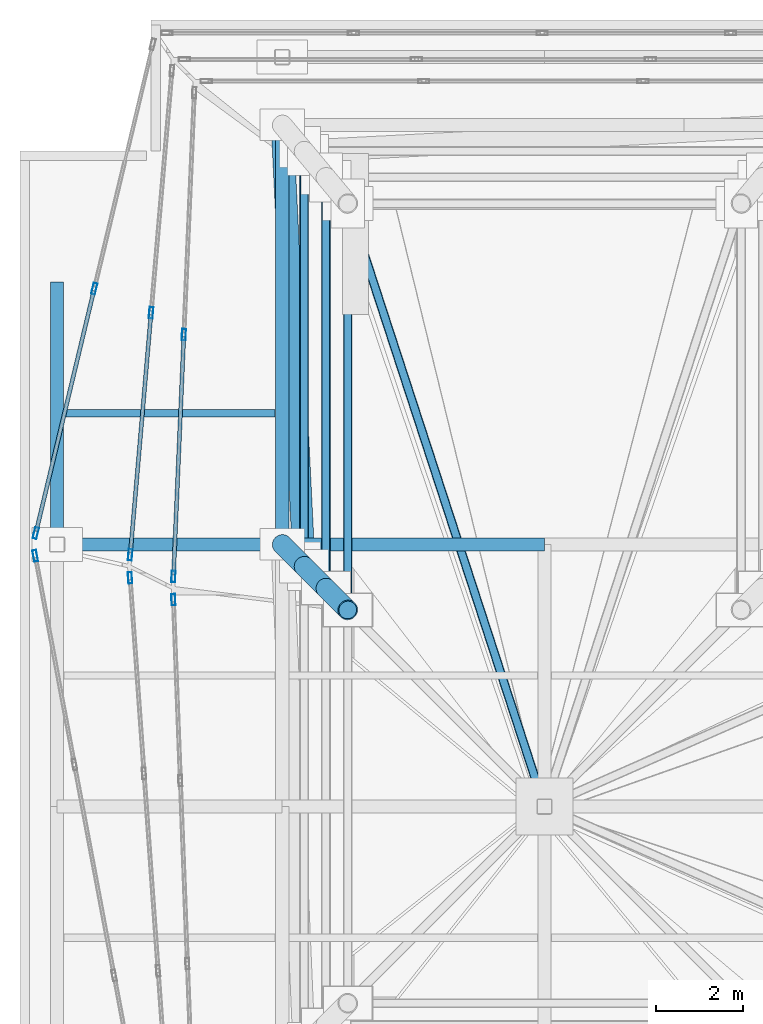
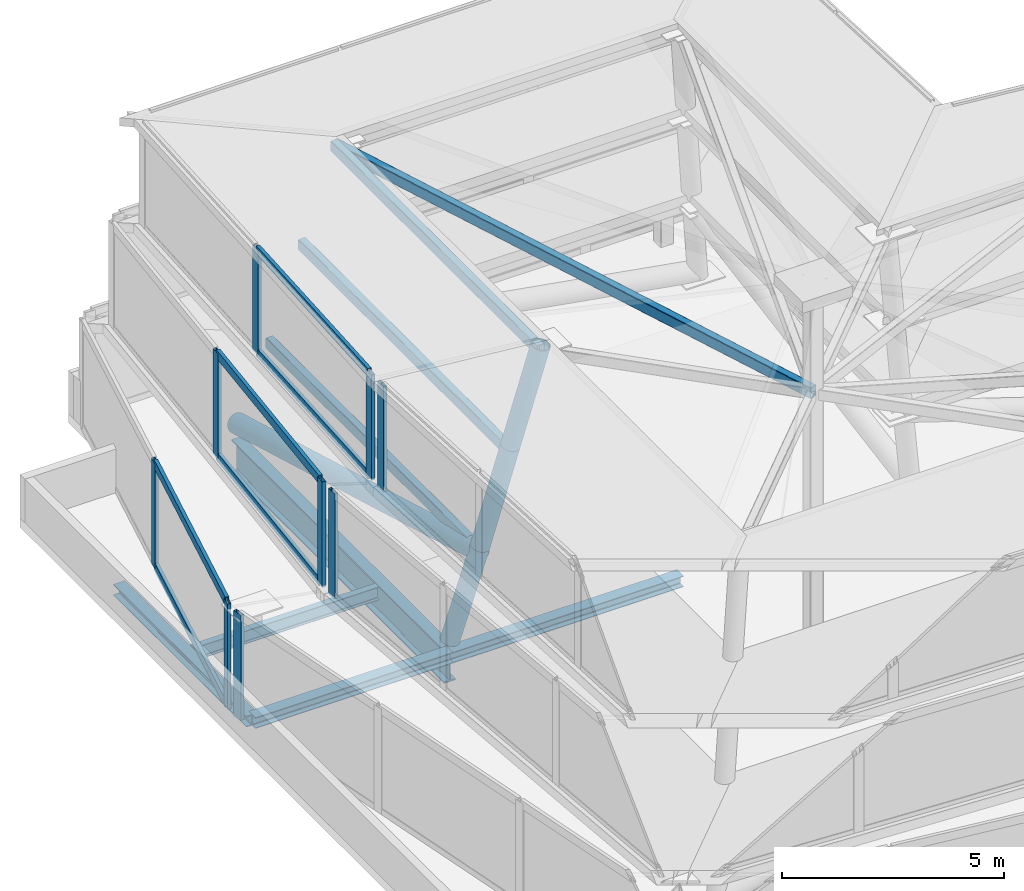
# One storey, part 6 of 15: 19 members, 9 beams, 6 elements without a shape of their own.
"""IFC4 building model written with IfcOpenShell, lengths in metres."""

import ifcopenshell
import ifcopenshell.guid

model = None  # the IFC model being written
_history = None  # IfcOwnerHistory: only IFC2X3 demands one
_inside = {}  # id of a spatial element -> (the spatial element, [elements in it])
_under = {}  # id of a project, library or spatial element -> (it, [spatial elements below it])
_declared = {}  # id of a project -> (the project, [libraries it declares])
_typed = {}  # id of a type object -> (the type object, [elements of that type])
_made_of = {}  # id of a material, layer set ... -> (it, [elements and type objects made of it])


def new_model(schema):
    """Start an empty IFC model of exactly this schema.

    Asked for "IFC4X3", IfcOpenShell would pick the latest addendum, in which some entities
    have other attributes; the version numbers below select the first issue.
    IFC2X3 requires an IfcOwnerHistory on every rooted entity: one is made here for all.
    """
    global model, _history
    if schema == "IFC4X3":
        model = ifcopenshell.file(schema_version=(4, 3, 0, 0))
    else:
        model = ifcopenshell.file(schema=schema)
    _inside.clear()
    _under.clear()
    _declared.clear()
    _typed.clear()
    _made_of.clear()
    _history = None
    if model.schema == "IFC2X3":
        org = make("IfcOrganization", Name="unknown")
        user = make(
            "IfcPersonAndOrganization",
            ThePerson=make("IfcPerson", FamilyName="unknown"),
            TheOrganization=org,
        )
        app = make(
            "IfcApplication",
            ApplicationDeveloper=org,
            Version="unknown",
            ApplicationFullName="unknown",
            ApplicationIdentifier="unknown",
        )
        _history = make(
            "IfcOwnerHistory",
            OwningUser=user,
            OwningApplication=app,
            ChangeAction="ADDED",
            CreationDate=0,
        )
    return model


def make(cls, **values):
    """One entity of the class cls with the attributes given. An attribute that is None is left unset."""
    return model.create_entity(
        cls, **{name: value for name, value in values.items() if value is not None}
    )


def rooted(cls, **values):
    """An entity with a GlobalId (a new one), such as an element, a storey or a relation."""
    return make(cls, GlobalId=ifcopenshell.guid.new(), OwnerHistory=_history, **values)


def si_unit(unit_type, name, prefix=None):
    """IfcSIUnit, for example si_unit("LENGTHUNIT", "METRE", prefix="MILLI")."""
    return make("IfcSIUnit", UnitType=unit_type, Prefix=prefix, Name=name)


def assignment(units):
    """IfcUnitAssignment: the units of a project."""
    return None if units is None else make("IfcUnitAssignment", Units=units)


def point(xyz):
    """IfcCartesianPoint."""
    return None if xyz is None else make("IfcCartesianPoint", Coordinates=xyz)


def direction(xyz):
    """IfcDirection."""
    return None if xyz is None else make("IfcDirection", DirectionRatios=xyz)


def frame(location, z_axis=None, x_axis=None):
    """IfcAxis2Placement3D, a coordinate frame: its origin and axes. An axis left out is left unset."""
    return make(
        "IfcAxis2Placement3D",
        Location=point(location),
        Axis=direction(z_axis),
        RefDirection=direction(x_axis),
    )


def frame_2d(location, x_axis=None):
    """IfcAxis2Placement2D, a coordinate frame in the plane: its origin and x axis."""
    return make(
        "IfcAxis2Placement2D", Location=point(location), RefDirection=direction(x_axis)
    )


def origin():
    """The frame at (0, 0, 0) with its axes left unset."""
    return frame((0.0, 0.0, 0.0))


def origin_2d():
    """The frame at (0, 0) in the plane with its x axis left unset."""
    return frame_2d((0.0, 0.0))


def place(relative_to, where):
    """IfcLocalPlacement: puts the frame where relative to a parent placement (None: the world)."""
    return make(
        "IfcLocalPlacement", PlacementRelTo=relative_to, RelativePlacement=where
    )


def context(
    kind, dimensions, precision=None, world=None, true_north=None, identifier=None
):
    """IfcGeometricRepresentationContext, for example the 3D "Model" context."""
    return make(
        "IfcGeometricRepresentationContext",
        ContextIdentifier=identifier,
        ContextType=kind,
        CoordinateSpaceDimension=dimensions,
        Precision=precision,
        WorldCoordinateSystem=world,
        TrueNorth=true_north,
    )


def subcontext(parent, identifier, kind, view, scale=None):
    """IfcGeometricRepresentationSubContext, for example "Body" below "Model"."""
    return make(
        "IfcGeometricRepresentationSubContext",
        ContextIdentifier=identifier,
        ContextType=kind,
        ParentContext=parent,
        TargetScale=scale,
        TargetView=view,
    )


def project(units=None, contexts=None):
    """IfcProject with its units and contexts."""
    return rooted(
        "IfcProject",
        Name="project",
        RepresentationContexts=contexts,
        UnitsInContext=assignment(units),
    )


def spatial(cls, under=None, at=None, **own):
    """A site, building, storey or space (cls), placed at a placement, below another one or the project."""
    s = rooted(cls, ObjectPlacement=at, **own)
    if under is not None:
        _under.setdefault(under.id(), (under, []))[1].append(s)
    return s


def profile(cls, at=None, kind="AREA", **sizes):
    """A parametric profile (cls). Its sizes go by their IFC names, for example OverallWidth=200.0."""
    return make(cls, ProfileType=kind, Position=at, **sizes)


def hollow_rectangle(**sizes):
    """IfcRectangleHollowProfileDef."""
    return profile("IfcRectangleHollowProfileDef", **sizes)


def hollow_circle(**sizes):
    """IfcCircleHollowProfileDef."""
    return profile("IfcCircleHollowProfileDef", **sizes)


def i_section(**sizes):
    """IfcIShapeProfileDef."""
    return profile("IfcIShapeProfileDef", **sizes)


def extrude(swept, where, along, depth):
    """IfcExtrudedAreaSolid: the profile swept, set in the frame where, extruded along a direction by depth."""
    return make(
        "IfcExtrudedAreaSolid",
        SweptArea=swept,
        Position=where,
        ExtrudedDirection=direction(along),
        Depth=depth,
    )


def shape(context_of_items, identifier, shape_type, items):
    """IfcShapeRepresentation: the items that make up one representation, for example the "Body"."""
    return make(
        "IfcShapeRepresentation",
        ContextOfItems=context_of_items,
        RepresentationIdentifier=identifier,
        RepresentationType=shape_type,
        Items=items,
    )


def material(Name=None, Category=None):
    """IfcMaterial."""
    return make("IfcMaterial", Name=Name, Category=Category)


def layer(
    of_material, thickness, ventilated=None, Name=None, Category=None, Priority=None
):
    """IfcMaterialLayer: one layer of a wall or slab, of a material (None: an air gap)."""
    return make(
        "IfcMaterialLayer",
        Material=of_material,
        LayerThickness=thickness,
        IsVentilated=ventilated,
        Name=Name,
        Category=Category,
        Priority=Priority,
    )


def layer_set(layers, Name=None):
    """IfcMaterialLayerSet."""
    return make("IfcMaterialLayerSet", MaterialLayers=layers, LayerSetName=Name)


def material_profile(
    of_material, cross_section, Name=None, Category=None, Priority=None
):
    """IfcMaterialProfile: a cross section and its material."""
    return make(
        "IfcMaterialProfile",
        Name=Name,
        Material=of_material,
        Profile=cross_section,
        Priority=Priority,
        Category=Category,
    )


def profile_set(profiles, Name=None, composite=None):
    """IfcMaterialProfileSet."""
    return make(
        "IfcMaterialProfileSet",
        Name=Name,
        MaterialProfiles=profiles,
        CompositeProfile=composite,
    )


def made_of(thing, what):
    """Note that an element or type object is made of a material, layer set ...; save() writes the relation."""
    if what is not None:
        _made_of.setdefault(what.id(), (what, []))[1].append(thing)
    return thing


def type_object(cls, material=None, **own):
    """A type object (cls), such as IfcWallType, which elements share."""
    return made_of(rooted(cls, **own), material)


def element(
    cls,
    number,
    at=None,
    inside=None,
    cuts=None,
    type_object=None,
    material=None,
    context=None,
    identifier="Body",
    shape_type=None,
    held_by="IfcProductDefinitionShape",
    body=None,
    shapes=None,
    **own,
):
    """One element of the class cls, such as IfcWall. Its Tag is "e" and its number.

    at: its placement. inside: the storey or other place that contains it. cuts: it is an
    opening in that element (IfcRelVoidsElement). A single representation is given by context,
    identifier, shape_type and body (its items); several are given by shapes. held_by: the class
    of the entity that holds the representations. save() writes the other relations.
    """
    e = rooted(cls, Tag="e%d" % number, ObjectPlacement=at, **own)
    if body is not None:
        shapes = [shape(context, identifier, shape_type, body)]
    if shapes is not None:
        e.Representation = make(held_by, Representations=shapes)
    if inside is not None:
        _inside.setdefault(inside.id(), (inside, []))[1].append(e)
    if cuts is not None:
        rooted(
            "IfcRelVoidsElement", RelatingBuildingElement=cuts, RelatedOpeningElement=e
        )
    if type_object is not None:
        _typed.setdefault(type_object.id(), (type_object, []))[1].append(e)
    return made_of(e, material)


def aggregate(whole, parts):
    """IfcRelAggregates: a whole, such as a stair, and the parts it consists of."""
    return rooted("IfcRelAggregates", RelatingObject=whole, RelatedObjects=parts)


def save(model, path):
    """Write the relations noted so far, then the file.

    IfcRelAggregates (storeys below a building ...), IfcRelContainedInSpatialStructure (elements
    in a storey), IfcRelDefinesByType, IfcRelAssociatesMaterial and IfcRelDeclares: one each for
    every whole, place, type object, material and project.
    """
    for whole, parts in _under.values():
        aggregate(whole, parts)
    for where, things in _inside.values():
        rooted(
            "IfcRelContainedInSpatialStructure",
            RelatedElements=things,
            RelatingStructure=where,
        )
    for kind, things in _typed.values():
        rooted("IfcRelDefinesByType", RelatedObjects=things, RelatingType=kind)
    for what, things in _made_of.values():
        rooted("IfcRelAssociatesMaterial", RelatedObjects=things, RelatingMaterial=what)
    for by, libraries in _declared.values():
        rooted("IfcRelDeclares", RelatingContext=by, RelatedDefinitions=libraries)
    model.write(path)


model = new_model("IFC4")

# Units and contexts
model_context = context("Model", 3, precision=1e-05, world=origin(), true_north=direction((0.0, 1.0)))
body_context = subcontext(model_context, "Body", "Model", "MODEL_VIEW")
ifc_project = project(units=[si_unit("LENGTHUNIT", "METRE"), si_unit("AREAUNIT", "SQUARE_METRE"), si_unit("VOLUMEUNIT", "CUBIC_METRE"), si_unit("PLANEANGLEUNIT", "RADIAN"), si_unit("MASSUNIT", "GRAM", prefix="KILO"), si_unit("THERMODYNAMICTEMPERATUREUNIT", "KELVIN"), si_unit("POWERUNIT", "WATT")], contexts=[model_context])

# Site, building, storey
site_placement = place(None, origin())
site = spatial("IfcSite", under=ifc_project, at=site_placement, CompositionType="ELEMENT")
building_placement = place(site_placement, origin())
building = spatial("IfcBuilding", under=site, at=building_placement, Name="Svarakhadi Broadcast Tower", CompositionType="ELEMENT")
storey_placement = place(building_placement, frame((0.0, 0.0, 310.5)))
storey = spatial("IfcBuildingStorey", under=building, at=storey_placement, Name="RF", CompositionType="ELEMENT", Elevation=310.5)

# Beam
ifc_material_1 = material(Name="Steel S355J2 (IS 2062 E350C)", Category="steel")
ifc_material_profile_1 = material_profile(ifc_material_1, i_section(OverallWidth=0.169921875, OverallDepth=0.360107421875, WebThickness=0.008056640625, FlangeThickness=0.0126953125, FilletRadius=0.01806640625, at=origin_2d()), Name="NPB 360x170x57")
ifc_profile_set_1 = profile_set([ifc_material_profile_1], Name="Steel S355J2 (IS 2062 E350C)")
beam_type_1 = type_object("IfcBeamType", Name="Beam_NPB360", PredefinedType="BEAM", material=ifc_profile_set_1)
beam_1_placement = place(storey_placement, frame((1.010009765625, 21.0, -0.429931640625), z_axis=(1.0, 0.0, 0.0), x_axis=(0.0, 1.0, 0.0)))
element("IfcBeam", 1, at=beam_1_placement, inside=storey, type_object=beam_type_1, Name="RF Secondary Composite Beam SB003", PredefinedType="BEAM", context=body_context, shape_type="SweptSolid", body=[
    extrude(i_section(OverallWidth=0.169921875, OverallDepth=0.360107421875, WebThickness=0.008056640625, FlangeThickness=0.0126953125, FilletRadius=0.01806640625, at=origin_2d()), origin(), (0.0, 0.0, 1.0), 4.830078125),
])

# Curtain wall, members
ifc_material_2 = material(Name="Anodised Bronze Aluminium AA 6063-T6", Category="aluminium")
ifc_layer = layer(ifc_material_2, 0.260009765625)
ifc_layer_set = layer_set([ifc_layer], Name="Anodised Bronze Aluminium AA 6063-T6")
curtain_wall_type = type_object("IfcCurtainWallType", Name="CW_Sys_07", PredefinedType="NOTDEFINED", material=ifc_layer_set)
curtain_wall_1_placement = place(storey_placement, origin())
curtain_wall_1 = element("IfcCurtainWall", 2, at=curtain_wall_1_placement, inside=storey, type_object=curtain_wall_type, Name="Crown Tier 1 Faceted Curtain Wall 7", PredefinedType="NOTDEFINED")
ifc_material_profile_2 = material_profile(ifc_material_2, hollow_rectangle(XDim=0.090087890625, YDim=0.260009765625, WallThickness=0.005615234375, at=origin_2d()), Name="ALU MULLION 260x90x6")
ifc_profile_set_2 = profile_set([ifc_material_profile_2], Name="Anodised Bronze Aluminium AA 6063-T6")
member_type_1 = type_object("IfcMemberType", Name="CW_Sys_07_Mul", PredefinedType="MULLION", material=ifc_profile_set_2)
member_1_placement = place(storey_placement, frame((1.699951171875, 23.85009765625, 0.0), z_axis=(0.0, 0.0, 1.0), x_axis=(0.972537468468, -0.232746369309, 0.0)))
member_1 = element("IfcMember", 3, at=member_1_placement, type_object=member_type_1, Name="CW-07 mullion 2", PredefinedType="MULLION", context=body_context, shape_type="SweptSolid", body=[
    extrude(hollow_rectangle(XDim=0.090087890625, YDim=0.260009765625, WallThickness=0.005615234375, at=origin_2d()), origin(), (0.0, 0.0, 1.0), 2.89990234375),
])
member_2_placement = place(storey_placement, frame((0.361572265625, 18.2578125, 0.0), z_axis=(0.0, 0.0, 1.0), x_axis=(0.972537468468, -0.232746369309, 0.0)))
member_2 = element("IfcMember", 4, at=member_2_placement, type_object=member_type_1, Name="CW-07 mullion 3", PredefinedType="MULLION", context=body_context, shape_type="SweptSolid", body=[
    extrude(hollow_rectangle(XDim=0.090087890625, YDim=0.260009765625, WallThickness=0.005615234375, at=origin_2d()), origin(), (0.0, 0.0, 1.0), 2.89990234375),
])

# Curtain wall, member
curtain_wall_2_placement = place(storey_placement, origin())
curtain_wall_2 = element("IfcCurtainWall", 5, at=curtain_wall_2_placement, inside=storey, type_object=curtain_wall_type, Name="Crown Tier 1 Faceted Curtain Wall 8", PredefinedType="NOTDEFINED")
member_3_placement = place(storey_placement, frame((0.348876953125, 17.739501953125, 0.0), z_axis=(0.0, 0.0, 1.0), x_axis=(0.982796739927, 0.184690465344, 0.0)))
member_3 = element("IfcMember", 6, at=member_3_placement, type_object=member_type_1, Name="CW-07 mullion 1", PredefinedType="MULLION", context=body_context, shape_type="SweptSolid", body=[
    extrude(hollow_rectangle(XDim=0.090087890625, YDim=0.260009765625, WallThickness=0.005615234375, at=origin_2d()), origin(), (0.0, 0.0, 1.0), 2.89990234375),
])
aggregate(curtain_wall_2, [member_3])

# Curtain wall, members
curtain_wall_3_placement = place(storey_placement, origin())
curtain_wall_3 = element("IfcCurtainWall", 7, at=curtain_wall_3_placement, inside=storey, type_object=curtain_wall_type, Name="Crown Tier 2 Faceted Curtain Wall 7", PredefinedType="NOTDEFINED")
member_4_placement = place(storey_placement, frame((3.0, 23.300048828125, 2.89990234375), z_axis=(0.0, 0.0, 1.0), x_axis=(0.996304821652, -0.085887731099, 0.0)))
member_4 = element("IfcMember", 8, at=member_4_placement, type_object=member_type_1, Name="CW-07 mullion 2", PredefinedType="MULLION", context=body_context, shape_type="SweptSolid", body=[
    extrude(hollow_rectangle(XDim=0.090087890625, YDim=0.260009765625, WallThickness=0.005615234375, at=origin_2d()), origin(), (0.0, 0.0, 1.0), 2.900146484375),
])
member_5_placement = place(storey_placement, frame((2.522705078125, 17.763916015625, 2.89990234375), z_axis=(0.0, 0.0, 1.0), x_axis=(0.996304821652, -0.085887731099, 0.0)))
member_5 = element("IfcMember", 9, at=member_5_placement, type_object=member_type_1, Name="CW-07 mullion 3", PredefinedType="MULLION", context=body_context, shape_type="SweptSolid", body=[
    extrude(hollow_rectangle(XDim=0.090087890625, YDim=0.260009765625, WallThickness=0.005615234375, at=origin_2d()), origin(), (0.0, 0.0, 1.0), 2.900146484375),
])

# Curtain wall, member
curtain_wall_4_placement = place(storey_placement, origin())
curtain_wall_4 = element("IfcCurtainWall", 10, at=curtain_wall_4_placement, inside=storey, type_object=curtain_wall_type, Name="Crown Tier 2 Faceted Curtain Wall 8", PredefinedType="NOTDEFINED")
member_6_placement = place(storey_placement, frame((2.518798828125, 17.235595703125, 2.89990234375), z_axis=(0.0, 0.0, 1.0), x_axis=(0.997458998512, 0.071242868326, 0.0)))
member_6 = element("IfcMember", 11, at=member_6_placement, type_object=member_type_1, Name="CW-07 mullion 1", PredefinedType="MULLION", context=body_context, shape_type="SweptSolid", body=[
    extrude(hollow_rectangle(XDim=0.090087890625, YDim=0.260009765625, WallThickness=0.005615234375, at=origin_2d()), origin(), (0.0, 0.0, 1.0), 2.900146484375),
])
aggregate(curtain_wall_4, [member_6])

# Curtain wall, members
curtain_wall_5_placement = place(storey_placement, origin())
curtain_wall_5 = element("IfcCurtainWall", 12, at=curtain_wall_5_placement, inside=storey, type_object=curtain_wall_type, Name="Crown Tier 3 Faceted Curtain Wall 7", PredefinedType="NOTDEFINED")
member_7_placement = place(storey_placement, frame((3.75, 22.800048828125, 5.800048828125), z_axis=(0.0, 0.0, 1.0), x_axis=(0.999072538007, -0.043058841143, 0.0)))
member_7 = element("IfcMember", 13, at=member_7_placement, type_object=member_type_1, Name="CW-07 mullion 2", PredefinedType="MULLION", context=body_context, shape_type="SweptSolid", body=[
    extrude(hollow_rectangle(XDim=0.090087890625, YDim=0.260009765625, WallThickness=0.005615234375, at=origin_2d()), origin(), (0.0, 0.0, 1.0), 2.89990234375),
])
member_8_placement = place(storey_placement, frame((3.511474609375, 17.2646484375, 5.800048828125), z_axis=(0.0, 0.0, 1.0), x_axis=(0.999072538007, -0.043058841143, 0.0)))
member_8 = element("IfcMember", 14, at=member_8_placement, type_object=member_type_1, Name="CW-07 mullion 3", PredefinedType="MULLION", context=body_context, shape_type="SweptSolid", body=[
    extrude(hollow_rectangle(XDim=0.090087890625, YDim=0.260009765625, WallThickness=0.005615234375, at=origin_2d()), origin(), (0.0, 0.0, 1.0), 2.89990234375),
])

# Curtain wall, member
curtain_wall_6_placement = place(storey_placement, origin())
curtain_wall_6 = element("IfcCurtainWall", 15, at=curtain_wall_6_placement, inside=storey, type_object=curtain_wall_type, Name="Crown Tier 3 Faceted Curtain Wall 8", PredefinedType="NOTDEFINED")
member_9_placement = place(storey_placement, frame((3.51025390625, 16.7353515625, 5.800048828125), z_axis=(0.0, 0.0, 1.0), x_axis=(0.999261456636, 0.038425789272, 0.0)))
member_9 = element("IfcMember", 16, at=member_9_placement, type_object=member_type_1, Name="CW-07 mullion 1", PredefinedType="MULLION", context=body_context, shape_type="SweptSolid", body=[
    extrude(hollow_rectangle(XDim=0.090087890625, YDim=0.260009765625, WallThickness=0.005615234375, at=origin_2d()), origin(), (0.0, 0.0, 1.0), 2.89990234375),
])
aggregate(curtain_wall_6, [member_9])

# Member
ifc_material_profile_3 = material_profile(ifc_material_2, hollow_rectangle(XDim=0.090087890625, YDim=0.22998046875, WallThickness=0.0048828125, at=origin_2d()), Name="ALU TRANSOM 230x90x5")
ifc_profile_set_3 = profile_set([ifc_material_profile_3], Name="Anodised Bronze Aluminium AA 6063-T6")
member_type_2 = type_object("IfcMemberType", Name="CW_Sys_07_Trn", PredefinedType="USERDEFINED", material=ifc_profile_set_3)
member_10_placement = place(storey_placement, frame((1.689453125, 23.80615234375, 0.044921875), z_axis=(-0.232749716477, -0.972536667422, 0.0), x_axis=(0.972536667422, -0.232749716477, 0.0)))
member_10 = element("IfcMember", 17, at=member_10_placement, type_object=member_type_2, Name="CW-07 transom 2.1", ObjectType="TRANSOM", PredefinedType="USERDEFINED", context=body_context, shape_type="SweptSolid", body=[
    extrude(hollow_rectangle(XDim=0.090087890625, YDim=0.22998046875, WallThickness=0.0048828125, at=origin_2d()), origin(), (0.0, 0.0, 1.0), 5.66015625),
])

member_11_placement = place(storey_placement, frame((1.689453125, 23.80615234375, 2.85498046875), z_axis=(-0.232749716477, -0.972536667422, 0.0), x_axis=(0.972536667422, -0.232749716477, 0.0)))
member_11 = element("IfcMember", 18, at=member_11_placement, type_object=member_type_2, Name="CW-07 transom 2.2", ObjectType="TRANSOM", PredefinedType="USERDEFINED", context=body_context, shape_type="SweptSolid", body=[
    extrude(hollow_rectangle(XDim=0.090087890625, YDim=0.22998046875, WallThickness=0.0048828125, at=origin_2d()), origin(), (0.0, 0.0, 1.0), 5.66015625),
])

aggregate(curtain_wall_1, [member_1, member_2, member_10, member_11])

member_12_placement = place(storey_placement, frame((2.99609375, 23.255126953125, 2.945068359375), z_axis=(-0.085883756095, -0.996305164314, 0.0), x_axis=(0.996305164314, -0.085883756095, 0.0)))
member_12 = element("IfcMember", 19, at=member_12_placement, type_object=member_type_2, Name="CW-07 transom 2.1", ObjectType="TRANSOM", PredefinedType="USERDEFINED", context=body_context, shape_type="SweptSolid", body=[
    extrude(hollow_rectangle(XDim=0.090087890625, YDim=0.22998046875, WallThickness=0.0048828125, at=origin_2d()), origin(), (0.0, 0.0, 1.0), 5.466552734375),
])

member_13_placement = place(storey_placement, frame((2.99609375, 23.255126953125, 5.7548828125), z_axis=(-0.085883756095, -0.996305164314, 0.0), x_axis=(0.996305164314, -0.085883756095, 0.0)))
member_13 = element("IfcMember", 20, at=member_13_placement, type_object=member_type_2, Name="CW-07 transom 2.2", ObjectType="TRANSOM", PredefinedType="USERDEFINED", context=body_context, shape_type="SweptSolid", body=[
    extrude(hollow_rectangle(XDim=0.090087890625, YDim=0.22998046875, WallThickness=0.0048828125, at=origin_2d()), origin(), (0.0, 0.0, 1.0), 5.466552734375),
])

aggregate(curtain_wall_3, [member_4, member_5, member_12, member_13])

member_14_placement = place(storey_placement, frame((3.748046875, 22.755126953125, 5.844970703125), z_axis=(-0.043046503763, -0.999073069657, 0.0), x_axis=(0.999073069657, -0.043046503763, 0.0)))
member_14 = element("IfcMember", 21, at=member_14_placement, type_object=member_type_2, Name="CW-07 transom 2.1", ObjectType="TRANSOM", PredefinedType="USERDEFINED", context=body_context, shape_type="SweptSolid", body=[
    extrude(hollow_rectangle(XDim=0.090087890625, YDim=0.22998046875, WallThickness=0.0048828125, at=origin_2d()), origin(), (0.0, 0.0, 1.0), 5.450439453125),
])

member_15_placement = place(storey_placement, frame((3.748046875, 22.755126953125, 8.655029296875), z_axis=(-0.043046503763, -0.999073069657, 0.0), x_axis=(0.999073069657, -0.043046503763, 0.0)))
member_15 = element("IfcMember", 22, at=member_15_placement, type_object=member_type_2, Name="CW-07 transom 2.2", ObjectType="TRANSOM", PredefinedType="USERDEFINED", context=body_context, shape_type="SweptSolid", body=[
    extrude(hollow_rectangle(XDim=0.090087890625, YDim=0.22998046875, WallThickness=0.0048828125, at=origin_2d()), origin(), (0.0, 0.0, 1.0), 5.450439453125),
])

aggregate(curtain_wall_5, [member_7, member_8, member_14, member_15])

# Members
ifc_material_3 = material(Name="Steel S460ML (IS 2062 E450BR)", Category="steel")
ifc_material_profile_4 = material_profile(ifc_material_3, hollow_circle(Radius=0.228515625, WallThickness=0.02490234375, at=origin_2d()), Name="CHS 457x25")
ifc_profile_set_4 = profile_set([ifc_material_profile_4], Name="Steel S460ML (IS 2062 E450BR)")
member_type_3 = type_object("IfcMemberType", Name="Crown_Spire_CHS457", PredefinedType="BRACE", material=ifc_profile_set_4)
member_16_placement = place(storey_placement, frame((6.0, 18.0, 0.0), z_axis=(0.177911828824, -0.177911828824, 0.967829924279), x_axis=(0.707106781187, 0.707106781187, 0.0)))
element("IfcMember", 23, at=member_16_placement, inside=storey, type_object=member_type_3, Name="Crown Structural Spire Frame Chord SL-01-08", PredefinedType="BRACE", context=body_context, shape_type="SweptSolid", body=[
    extrude(hollow_circle(Radius=0.228515625, WallThickness=0.02490234375, at=origin_2d()), origin(), (0.0, 0.0, 1.0), 2.810302734375),
])
member_17_placement = place(storey_placement, frame((6.5, 17.5, 2.719970703125), z_axis=(0.167498316665, -0.167498316665, 0.971539308432), x_axis=(0.707106781187, 0.707106781187, 0.0)))
element("IfcMember", 24, at=member_17_placement, inside=storey, type_object=member_type_3, Name="Crown Structural Spire Frame Chord SL-01-16", PredefinedType="BRACE", context=body_context, shape_type="SweptSolid", body=[
    extrude(hollow_circle(Radius=0.228515625, WallThickness=0.02490234375, at=origin_2d()), origin(), (0.0, 0.0, 1.0), 2.985107421875),
])
member_18_placement = place(storey_placement, frame((7.0, 17.0, 5.6201171875), z_axis=(0.167511626872, -0.167511626872, 0.971534718744), x_axis=(0.707106781187, 0.707106781187, 0.0)))
element("IfcMember", 25, at=member_18_placement, inside=storey, type_object=member_type_3, Name="Crown Structural Spire Frame Chord SL-01-24", PredefinedType="BRACE", context=body_context, shape_type="SweptSolid", body=[
    extrude(hollow_circle(Radius=0.228515625, WallThickness=0.02490234375, at=origin_2d()), origin(), (0.0, 0.0, 1.0), 2.98486328125),
])
ifc_material_profile_5 = material_profile(ifc_material_3, hollow_circle(Radius=0.25390625, WallThickness=0.02490234375, at=origin_2d()), Name="CHS 508x25")
ifc_profile_set_5 = profile_set([ifc_material_profile_5], Name="Steel S460ML (IS 2062 E450BR)")
member_type_4 = type_object("IfcMemberType", Name="Exo_Brace_CHS508", PredefinedType="BRACE", material=ifc_profile_set_5)
member_19_placement = place(storey_placement, frame((6.0, 27.60009765625, 0.14990234375), z_axis=(0.048085998697, -0.971346565466, 0.232752199745), x_axis=(0.998776901255, 0.049443922982, 0.0)))
element("IfcMember", 26, at=member_19_placement, inside=storey, type_object=member_type_4, Name="Crown Tier 1 Diagonal Brace EX-05-07", PredefinedType="BRACE", context=body_context, shape_type="SweptSolid", body=[
    extrude(hollow_circle(Radius=0.25390625, WallThickness=0.02490234375, at=origin_2d()), origin(), (0.0, 0.0, 1.0), 10.39794921875),
])

# Beams
ifc_material_profile_6 = material_profile(ifc_material_1, i_section(OverallWidth=0.300048828125, OverallDepth=0.300048828125, WebThickness=0.010986328125, FlangeThickness=0.01904296875, FilletRadius=0.027099609375, at=origin_2d()), Name="WPB 300x300x117")
ifc_profile_set_6 = profile_set([ifc_material_profile_6], Name="Steel S355J2 (IS 2062 E350C)")
beam_type_2 = type_object("IfcBeamType", Name="Girder_WPB300", PredefinedType="USERDEFINED", material=ifc_profile_set_6)
beam_2_placement = place(storey_placement, frame((0.85009765625, 18.0, -0.39990234375), z_axis=(1.0, 0.0, 0.0), x_axis=(0.0, 1.0, 0.0)))
element("IfcBeam", 27, at=beam_2_placement, inside=storey, type_object=beam_type_2, Name="RF Primary E-W Girder G017", ObjectType="GIRDER", PredefinedType="USERDEFINED", context=body_context, shape_type="SweptSolid", body=[
    extrude(i_section(OverallWidth=0.300048828125, OverallDepth=0.300048828125, WebThickness=0.010986328125, FlangeThickness=0.01904296875, FilletRadius=0.027099609375, at=origin_2d()), origin(), (0.0, 0.0, 1.0), 5.14990234375),
])
for number, where, z_axis, x_axis, name in (
    (28, (6.0, 18.0, -0.39990234375), (1.0, 0.0, 0.0), (0.0, 1.0, 0.0), "RF Primary E-W Girder G018"),
    (29, (0.85009765625, 18.0, -0.39990234375), (0.0, 1.0, 0.0), (-1.0, 0.0, 0.0), "RF Primary N-S Girder G028"),
):
    element("IfcBeam", number, at=place(storey_placement, frame(where, z_axis=z_axis, x_axis=x_axis)), inside=storey, type_object=beam_type_2, Name=name, ObjectType="GIRDER", PredefinedType="USERDEFINED", context=body_context, shape_type="SweptSolid", body=[
        extrude(i_section(OverallWidth=0.300048828125, OverallDepth=0.300048828125, WebThickness=0.010986328125, FlangeThickness=0.01904296875, FilletRadius=0.027099609375, at=origin_2d()), origin(), (0.0, 0.0, 1.0), 6.0),
    ])
ifc_material_profile_7 = material_profile(ifc_material_3, i_section(OverallWidth=0.300048828125, OverallDepth=0.89990234375, WebThickness=0.0185546875, FlangeThickness=0.034912109375, FilletRadius=0.030029296875, at=origin_2d()), Name="WPB 900x300x291")
ifc_profile_set_7 = profile_set([ifc_material_profile_7], Name="Steel S460ML (IS 2062 E450BR)")
beam_type_3 = type_object("IfcBeamType", Name="Girder_WPB900", PredefinedType="USERDEFINED", material=ifc_profile_set_7)
beam_3_placement = place(storey_placement, frame((6.0, 18.0, -0.699951171875), z_axis=(0.0, 1.0, 0.0), x_axis=(-1.0, 0.0, 0.0)))
element("IfcBeam", 30, at=beam_3_placement, inside=storey, type_object=beam_type_3, Name="RF Primary N-S Girder G032", ObjectType="GIRDER", PredefinedType="USERDEFINED", context=body_context, shape_type="SweptSolid", body=[
    extrude(i_section(OverallWidth=0.300048828125, OverallDepth=0.89990234375, WebThickness=0.0185546875, FlangeThickness=0.034912109375, FilletRadius=0.030029296875, at=origin_2d()), origin(), (0.0, 0.0, 1.0), 9.60009765625),
])
ifc_material_profile_8 = material_profile(ifc_material_3, hollow_rectangle(XDim=0.199951171875, YDim=0.300048828125, WallThickness=0.012451171875, InnerFilletRadius=0.012451171875, OuterFilletRadius=0.02490234375, at=origin_2d()), Name="RHS 300x200x12.5")
ifc_profile_set_8 = profile_set([ifc_material_profile_8], Name="Steel S460ML (IS 2062 E450BR)")
beam_type_4 = type_object("IfcBeamType", Name="Spandrel_RHS300", PredefinedType="SPANDREL", material=ifc_profile_set_8)
beam_4_placement = place(storey_placement, frame((6.5, 27.0, 2.570068359375), z_axis=(0.0, -1.0, 0.0), x_axis=(1.0, 0.0, 0.0)))
element("IfcBeam", 31, at=beam_4_placement, inside=storey, type_object=beam_type_4, Name="Crown Tier 1 Stiffening Ring Beam CR-R1-7", PredefinedType="SPANDREL", context=body_context, shape_type="SweptSolid", body=[
    extrude(hollow_rectangle(XDim=0.199951171875, YDim=0.300048828125, WallThickness=0.012451171875, InnerFilletRadius=0.012451171875, OuterFilletRadius=0.02490234375, at=origin_2d()), origin(), (0.0, 0.0, 1.0), 9.5),
])
beam_5_placement = place(storey_placement, frame((7.0, 26.39990234375, 5.469970703125), z_axis=(0.0, -1.0, 0.0), x_axis=(1.0, 0.0, 0.0)))
element("IfcBeam", 32, at=beam_5_placement, inside=storey, type_object=beam_type_4, Name="Crown Tier 2 Stiffening Ring Beam CR-R2-7", PredefinedType="SPANDREL", context=body_context, shape_type="SweptSolid", body=[
    extrude(hollow_rectangle(XDim=0.199951171875, YDim=0.300048828125, WallThickness=0.012451171875, InnerFilletRadius=0.012451171875, OuterFilletRadius=0.02490234375, at=origin_2d()), origin(), (0.0, 0.0, 1.0), 9.39990234375),
])
beam_6_placement = place(storey_placement, frame((7.5, 25.800048828125, 8.3701171875), z_axis=(0.0, -1.0, 0.0), x_axis=(1.0, 0.0, 0.0)))
element("IfcBeam", 33, at=beam_6_placement, inside=storey, type_object=beam_type_4, Name="Crown Tier 3 Stiffening Ring Beam CR-R3-7", PredefinedType="SPANDREL", context=body_context, shape_type="SweptSolid", body=[
    extrude(hollow_rectangle(XDim=0.199951171875, YDim=0.300048828125, WallThickness=0.012451171875, InnerFilletRadius=0.012451171875, OuterFilletRadius=0.02490234375, at=origin_2d()), origin(), (0.0, 0.0, 1.0), 9.300048828125),
])
beam_7_placement = place(storey_placement, frame((7.5, 25.800048828125, 8.3701171875), z_axis=(0.310019608327, -0.950730162797, 0.0), x_axis=(0.950730162797, 0.310019608327, 0.0)))
element("IfcBeam", 34, at=beam_7_placement, inside=storey, type_object=beam_type_4, Name="Crown Tier 3 Radial Spoke Beam CR-SP07", PredefinedType="SPANDREL", context=body_context, shape_type="SweptSolid", body=[
    extrude(hollow_rectangle(XDim=0.199951171875, YDim=0.300048828125, WallThickness=0.012451171875, InnerFilletRadius=0.012451171875, OuterFilletRadius=0.02490234375, at=origin_2d()), origin(), (0.0, 0.0, 1.0), 14.51513671875),
])

save(model, "model.ifc")
